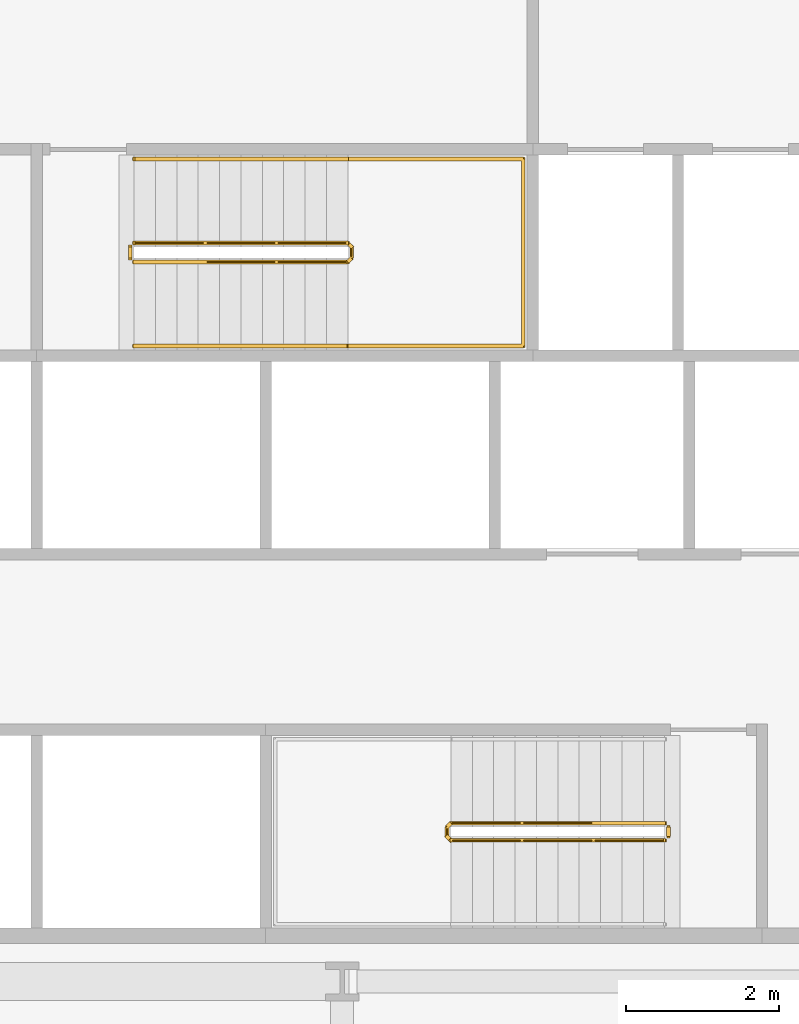
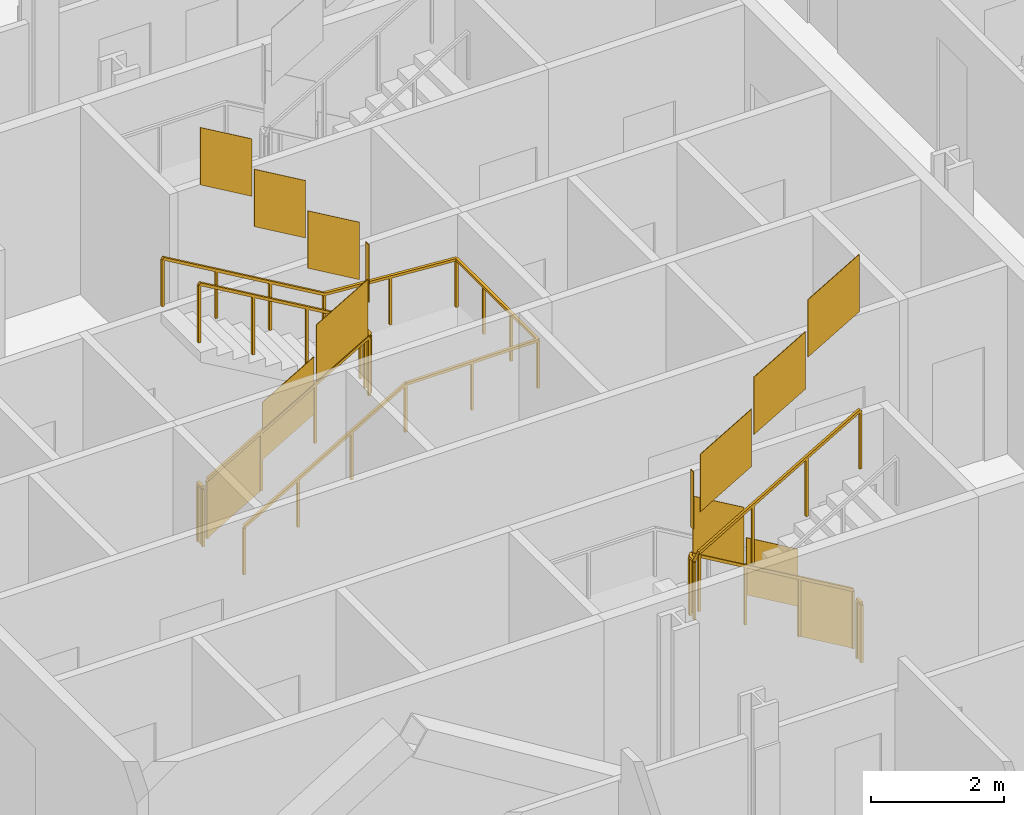
# One storey, part 15 of 18: 5 railings.
"""IFC4 building model written with IfcOpenShell, lengths in metres."""

from ifc_helpers import new_model, si_unit, direction, frame, origin, origin_2d, place, context, subcontext, project, spatial, polyline, rectangle, outline, extrude, material, type_object, element, save


model = new_model("IFC4")

# Units and contexts
model_context = context("Model", 3, precision=1e-05, world=origin(), true_north=direction((0.0, 1.0)))
body_context = subcontext(model_context, "Body", "Model", "MODEL_VIEW")
ifc_project = project(units=[si_unit("LENGTHUNIT", "METRE"), si_unit("AREAUNIT", "SQUARE_METRE"), si_unit("VOLUMEUNIT", "CUBIC_METRE"), si_unit("PLANEANGLEUNIT", "RADIAN"), si_unit("MASSUNIT", "GRAM", prefix="KILO")], contexts=[model_context])

# Site, building, storey
site_placement = place(None, origin())
site = spatial("IfcSite", under=ifc_project, at=site_placement, CompositionType="ELEMENT")
building_placement = place(site_placement, origin())
building = spatial("IfcBuilding", under=site, at=building_placement, Name="Cairn Pilgrim Tower", CompositionType="ELEMENT")
storey_placement = place(building_placement, frame((0.0, 0.0, 65.39990234375)))
storey = spatial("IfcBuildingStorey", under=building, at=storey_placement, Name="L14", CompositionType="ELEMENT", Elevation=65.39990234375)

# Railings
ifc_material = material(Name="Painted steel", Category="steel")
railing_type_1 = type_object("IfcRailingType", Name="STAIR GUARD 1100", PredefinedType="GUARDRAIL", material=ifc_material)
railing_1_placement = place(storey_placement, frame((11.425048828125, -3.925048828125, 0.163818359375)))
element("IfcRailing", 1, at=railing_1_placement, inside=storey, type_object=railing_type_1, Name="L14 ST-A stair guard 1", PredefinedType="GUARDRAIL", context=body_context, shape_type="SweptSolid", body=[
    extrude(rectangle(XDim=0.048095703125, YDim=0.048095703125, at=origin_2d()), frame((0.0, 0.0, 1.076171875), z_axis=(-0.863393664356, 0.0, 0.504530851732), x_axis=(0.0, -1.0, 0.0)), (0.0, 0.0, 1.0), 3.2431640625),
    extrude(rectangle(XDim=0.048095703125, YDim=0.048095703125, at=origin_2d()), frame((-2.800048828125, 0.0, 2.71240234375), z_axis=(-0.707106781187, -0.707106781187, 0.0), x_axis=(0.707106781187, -0.707106781187, 0.0)), (0.0, 0.0, 1.0), 0.07080078125),
    extrude(rectangle(XDim=0.048095703125, YDim=0.048095703125, at=origin_2d()), frame((-2.85009765625, -0.050048828125, 2.71240234375), z_axis=(0.0, -1.0, 0.0), x_axis=(1.0, 0.0, 0.0)), (0.0, 0.0, 1.0), 0.125),
    extrude(rectangle(XDim=0.048095703125, YDim=0.048095703125, at=origin_2d()), frame((-2.85009765625, -0.175048828125, 2.71240234375), z_axis=(0.280916556609, -0.279546231943, 0.91811752648), x_axis=(0.705375805398, 0.708833529934, 0.0)), (0.0, 0.0, 1.0), 0.17822265625),
    extrude(rectangle(XDim=0.048095703125, YDim=0.048095703125, at=origin_2d()), frame((-2.800048828125, -0.224853515625, 2.8759765625), z_axis=(0.863360870873, 0.0, 0.504586966384), x_axis=(0.0, 1.0, 0.0)), (0.0, 0.0, 1.0), 3.2431640625),
    extrude(rectangle(XDim=0.0419921875, YDim=0.0419921875, at=origin_2d()), origin(), (0.0, 0.0, 1.0), 1.052001953125),
    extrude(rectangle(XDim=0.0419921875, YDim=0.0419921875, at=origin_2d()), frame((-0.933349609375, 0.0, 0.54541015625)), (0.0, 0.0, 1.0), 1.052001953125),
    extrude(rectangle(XDim=0.0419921875, YDim=0.0419921875, at=origin_2d()), frame((-1.86669921875, 0.0, 1.0908203125)), (0.0, 0.0, 1.0), 1.052001953125),
    extrude(rectangle(XDim=0.0419921875, YDim=0.0419921875, at=origin_2d()), frame((-2.800048828125, 0.0, 1.63623046875)), (0.0, 0.0, 1.0), 1.052001953125),
    extrude(rectangle(XDim=0.0419921875, YDim=0.0419921875, at=origin_2d()), frame((-2.85009765625, -0.050048828125, 1.63623046875)), (0.0, 0.0, 1.0), 1.052001953125),
    extrude(rectangle(XDim=0.0419921875, YDim=0.0419921875, at=origin_2d()), frame((-2.85009765625, -0.175048828125, 1.63623046875)), (0.0, 0.0, 1.0), 1.052001953125),
    extrude(rectangle(XDim=0.0419921875, YDim=0.0419921875, at=origin_2d()), frame((-2.800048828125, -0.224853515625, 1.7998046875)), (0.0, 0.0, 1.0), 1.052001953125),
    extrude(rectangle(XDim=0.0419921875, YDim=0.0419921875, at=origin_2d()), frame((-1.86669921875, -0.224853515625, 2.34521484375)), (0.0, 0.0, 1.0), 1.052001953125),
    extrude(rectangle(XDim=0.0419921875, YDim=0.0419921875, at=origin_2d()), frame((-0.933349609375, -0.224853515625, 2.890869140625)), (0.0, 0.0, 1.0), 1.052001953125),
    extrude(rectangle(XDim=0.0419921875, YDim=0.0419921875, at=origin_2d()), frame((0.0, -0.224853515625, 3.436279296875)), (0.0, 0.0, 1.0), 1.052001953125),
    extrude(outline(polyline([(0.02099609375, 0.01220703125), (0.912353515625, 0.533203125), (0.912353515625, 1.585205078125), (0.02099609375, 1.064208984375), (0.02099609375, 0.01220703125)])), frame((0.0, -0.005859375, 0.0), z_axis=(0.0, 1.0, 0.0), x_axis=(-1.0, 0.0, 0.0)), (0.0, 0.0, 1.0), 0.011962890625),
    extrude(outline(polyline([(0.02099609375, 0.5576171875), (0.912353515625, 1.07861328125), (0.912353515625, 2.130615234375), (0.02099609375, 1.609619140625), (0.02099609375, 0.5576171875)])), frame((-0.933349609375, -0.005859375, 0.54541015625), z_axis=(0.0, 1.0, 0.0), x_axis=(-1.0, 0.0, 0.0)), (0.0, 0.0, 1.0), 0.011962890625),
    extrude(outline(polyline([(0.02099609375, 1.10302734375), (0.912353515625, 1.6240234375), (0.912353515625, 2.676025390625), (0.02099609375, 2.155029296875), (0.02099609375, 1.10302734375)])), frame((-1.86669921875, -0.005859375, 1.0908203125), z_axis=(0.0, 1.0, 0.0), x_axis=(-1.0, 0.0, 0.0)), (0.0, 0.0, 1.0), 0.011962890625),
    extrude(outline(polyline([(0.02099609375, 1.63623046875), (0.10400390625, 1.63623046875), (0.10400390625, 2.688232421875), (0.02099609375, 2.688232421875), (0.02099609375, 1.63623046875)])), frame((-2.84423828125, -0.050048828125, 1.63623046875), z_axis=(-1.0, 0.0, 0.0), x_axis=(0.0, -1.0, 0.0)), (0.0, 0.0, 1.0), 0.011962890625),
    extrude(outline(polyline([(0.02099609375, 1.81201171875), (0.912353515625, 2.3330078125), (0.912353515625, 3.385009765625), (0.02099609375, 2.864013671875), (0.02099609375, 1.81201171875)])), frame((-2.800048828125, -0.21875, 1.7998046875), z_axis=(0.0, -1.0, 0.0), x_axis=(1.0, 0.0, 0.0)), (0.0, 0.0, 1.0), 0.011962890625),
    extrude(outline(polyline([(0.02099609375, 2.357666015625), (0.912353515625, 2.87841796875), (0.912353515625, 3.930419921875), (0.02099609375, 3.40966796875), (0.02099609375, 2.357666015625)])), frame((-1.86669921875, -0.21875, 2.34521484375), z_axis=(0.0, -1.0, 0.0), x_axis=(1.0, 0.0, 0.0)), (0.0, 0.0, 1.0), 0.011962890625),
    extrude(outline(polyline([(0.02099609375, 2.903076171875), (0.912353515625, 3.424072265625), (0.912353515625, 4.47607421875), (0.02099609375, 3.955078125), (0.02099609375, 2.903076171875)])), frame((-0.933349609375, -0.21875, 2.890869140625), z_axis=(0.0, -1.0, 0.0), x_axis=(1.0, 0.0, 0.0)), (0.0, 0.0, 1.0), 0.011962890625),
])
railing_2_placement = place(storey_placement, frame((11.47509765625, -3.97509765625, 0.0)))
element("IfcRailing", 2, at=railing_2_placement, inside=storey, type_object=railing_type_1, Name="L14 ST-A stair guard 2", PredefinedType="GUARDRAIL", context=body_context, shape_type="SweptSolid", body=[
    extrude(rectangle(XDim=0.048095703125, YDim=0.048095703125, at=origin_2d()), frame((0.0, 0.0, 1.076171875), z_axis=(0.0, -1.0, 0.0), x_axis=(1.0, 0.0, 0.0)), (0.0, 0.0, 1.0), 0.125),
    extrude(rectangle(XDim=0.0419921875, YDim=0.0419921875, at=origin_2d()), origin(), (0.0, 0.0, 1.0), 1.052001953125),
    extrude(rectangle(XDim=0.0419921875, YDim=0.0419921875, at=origin_2d()), frame((0.0, -0.125, 0.0)), (0.0, 0.0, 1.0), 1.052001953125),
    extrude(outline(polyline([(0.02099609375, 0.0), (0.10400390625, 0.0), (0.10400390625, 1.052001953125), (0.02099609375, 1.052001953125), (0.02099609375, 0.0)])), frame((0.005859375, 0.0, 0.0), z_axis=(-1.0, 0.0, 0.0), x_axis=(0.0, -1.0, 0.0)), (0.0, 0.0, 1.0), 0.011962890625),
])
railing_3_placement = place(storey_placement, frame((4.47509765625, 3.425048828125, 0.163818359375)))
element("IfcRailing", 3, at=railing_3_placement, inside=storey, type_object=railing_type_1, Name="L14 ST-B stair guard 1", PredefinedType="GUARDRAIL", context=body_context, shape_type="SweptSolid", body=[
    extrude(rectangle(XDim=0.048095703125, YDim=0.048095703125, at=origin_2d()), frame((0.0, 0.0, 1.076171875), z_axis=(0.863374499697, 0.0, 0.504563646405), x_axis=(0.0, 1.0, 0.0)), (0.0, 0.0, 1.0), 3.242919921875),
    extrude(rectangle(XDim=0.048095703125, YDim=0.048095703125, at=origin_2d()), frame((2.7998046875, 0.0, 2.71240234375), z_axis=(0.707106781187, 0.707106781187, 0.0), x_axis=(-0.707106781187, 0.707106781187, 0.0)), (0.0, 0.0, 1.0), 0.07080078125),
    extrude(rectangle(XDim=0.048095703125, YDim=0.048095703125, at=origin_2d()), frame((2.849853515625, 0.050048828125, 2.71240234375), z_axis=(0.0, 1.0, 0.0), x_axis=(-1.0, 0.0, 0.0)), (0.0, 0.0, 1.0), 0.14990234375),
    extrude(rectangle(XDim=0.048095703125, YDim=0.048095703125, at=origin_2d()), frame((2.849853515625, 0.199951171875, 2.71240234375), z_axis=(-0.280808744504, 0.280808744504, 0.917765164963), x_axis=(-0.707106781187, -0.707106781187, 0.0)), (0.0, 0.0, 1.0), 0.17822265625),
    extrude(rectangle(XDim=0.048095703125, YDim=0.048095703125, at=origin_2d()), frame((2.7998046875, 0.25, 2.8759765625), z_axis=(-0.863341702679, 0.0, 0.504619762213), x_axis=(0.0, -1.0, 0.0)), (0.0, 0.0, 1.0), 3.242919921875),
    extrude(rectangle(XDim=0.0419921875, YDim=0.0419921875, at=origin_2d()), origin(), (0.0, 0.0, 1.0), 1.052001953125),
    extrude(rectangle(XDim=0.0419921875, YDim=0.0419921875, at=origin_2d()), frame((0.933349609375, 0.0, 0.54541015625)), (0.0, 0.0, 1.0), 1.052001953125),
    extrude(rectangle(XDim=0.0419921875, YDim=0.0419921875, at=origin_2d()), frame((1.866455078125, 0.0, 1.0908203125)), (0.0, 0.0, 1.0), 1.052001953125),
    extrude(rectangle(XDim=0.0419921875, YDim=0.0419921875, at=origin_2d()), frame((2.7998046875, 0.0, 1.63623046875)), (0.0, 0.0, 1.0), 1.052001953125),
    extrude(rectangle(XDim=0.0419921875, YDim=0.0419921875, at=origin_2d()), frame((2.849853515625, 0.050048828125, 1.63623046875)), (0.0, 0.0, 1.0), 1.052001953125),
    extrude(rectangle(XDim=0.0419921875, YDim=0.0419921875, at=origin_2d()), frame((2.849853515625, 0.199951171875, 1.63623046875)), (0.0, 0.0, 1.0), 1.052001953125),
    extrude(rectangle(XDim=0.0419921875, YDim=0.0419921875, at=origin_2d()), frame((2.7998046875, 0.25, 1.7998046875)), (0.0, 0.0, 1.0), 1.052001953125),
    extrude(rectangle(XDim=0.0419921875, YDim=0.0419921875, at=origin_2d()), frame((1.866455078125, 0.25, 2.34521484375)), (0.0, 0.0, 1.0), 1.052001953125),
    extrude(rectangle(XDim=0.0419921875, YDim=0.0419921875, at=origin_2d()), frame((0.933349609375, 0.25, 2.890869140625)), (0.0, 0.0, 1.0), 1.052001953125),
    extrude(rectangle(XDim=0.0419921875, YDim=0.0419921875, at=origin_2d()), frame((0.0, 0.25, 3.436279296875)), (0.0, 0.0, 1.0), 1.052001953125),
    extrude(outline(polyline([(0.02099609375, 0.01220703125), (0.912353515625, 0.533203125), (0.912353515625, 1.585205078125), (0.02099609375, 1.064208984375), (0.02099609375, 0.01220703125)])), frame((0.0, 0.005859375, 0.0), z_axis=(0.0, -1.0, 0.0), x_axis=(1.0, 0.0, 0.0)), (0.0, 0.0, 1.0), 0.011962890625),
    extrude(outline(polyline([(0.02099609375, 0.5576171875), (0.912353515625, 1.07861328125), (0.912353515625, 2.130615234375), (0.02099609375, 1.609619140625), (0.02099609375, 0.5576171875)])), frame((0.933349609375, 0.005859375, 0.54541015625), z_axis=(0.0, -1.0, 0.0), x_axis=(1.0, 0.0, 0.0)), (0.0, 0.0, 1.0), 0.011962890625),
    extrude(outline(polyline([(0.02099609375, 1.10302734375), (0.912353515625, 1.6240234375), (0.912353515625, 2.676025390625), (0.02099609375, 2.155029296875), (0.02099609375, 1.10302734375)])), frame((1.866455078125, 0.005859375, 1.0908203125), z_axis=(0.0, -1.0, 0.0), x_axis=(1.0, 0.0, 0.0)), (0.0, 0.0, 1.0), 0.011962890625),
    extrude(outline(polyline([(0.02099609375, 1.63623046875), (0.12890625, 1.63623046875), (0.12890625, 2.688232421875), (0.02099609375, 2.688232421875), (0.02099609375, 1.63623046875)])), frame((2.84375, 0.050048828125, 1.63623046875), z_axis=(1.0, 0.0, 0.0), x_axis=(0.0, 1.0, 0.0)), (0.0, 0.0, 1.0), 0.011962890625),
    extrude(outline(polyline([(0.02099609375, 1.81201171875), (0.912353515625, 2.3330078125), (0.912353515625, 3.385009765625), (0.02099609375, 2.864013671875), (0.02099609375, 1.81201171875)])), frame((2.7998046875, 0.244140625, 1.7998046875), z_axis=(0.0, 1.0, 0.0), x_axis=(-1.0, 0.0, 0.0)), (0.0, 0.0, 1.0), 0.011962890625),
    extrude(outline(polyline([(0.02099609375, 2.357666015625), (0.912353515625, 2.87841796875), (0.912353515625, 3.930419921875), (0.02099609375, 3.40966796875), (0.02099609375, 2.357666015625)])), frame((1.866455078125, 0.244140625, 2.34521484375), z_axis=(0.0, 1.0, 0.0), x_axis=(-1.0, 0.0, 0.0)), (0.0, 0.0, 1.0), 0.011962890625),
    extrude(outline(polyline([(0.02099609375, 2.903076171875), (0.912353515625, 3.424072265625), (0.912353515625, 4.47607421875), (0.02099609375, 3.955078125), (0.02099609375, 2.903076171875)])), frame((0.933349609375, 0.244140625, 2.890869140625), z_axis=(0.0, 1.0, 0.0), x_axis=(-1.0, 0.0, 0.0)), (0.0, 0.0, 1.0), 0.011962890625),
])
railing_4_placement = place(storey_placement, frame((4.425048828125, 3.47509765625, 0.0)))
element("IfcRailing", 4, at=railing_4_placement, inside=storey, type_object=railing_type_1, Name="L14 ST-B stair guard 2", PredefinedType="GUARDRAIL", context=body_context, shape_type="SweptSolid", body=[
    extrude(rectangle(XDim=0.048095703125, YDim=0.048095703125, at=origin_2d()), frame((0.0, 0.0, 1.076171875), z_axis=(0.0, 1.0, 0.0), x_axis=(-1.0, 0.0, 0.0)), (0.0, 0.0, 1.0), 0.14990234375),
    extrude(rectangle(XDim=0.0419921875, YDim=0.0419921875, at=origin_2d()), origin(), (0.0, 0.0, 1.0), 1.052001953125),
    extrude(rectangle(XDim=0.0419921875, YDim=0.0419921875, at=origin_2d()), frame((0.0, 0.14990234375, 0.0)), (0.0, 0.0, 1.0), 1.052001953125),
    extrude(outline(polyline([(0.02099609375, 0.0), (0.12890625, 0.0), (0.12890625, 1.052001953125), (0.02099609375, 1.052001953125), (0.02099609375, 0.0)])), frame((-0.005859375, 0.0, 0.0), z_axis=(1.0, 0.0, 0.0), x_axis=(0.0, 1.0, 0.0)), (0.0, 0.0, 1.0), 0.011962890625),
])
railing_type_2 = type_object("IfcRailingType", Name="STAIR HANDRAIL 900", PredefinedType="HANDRAIL", material=ifc_material)
railing_5_placement = place(storey_placement, frame((4.47509765625, 2.324951171875, 0.163818359375)))
element("IfcRailing", 5, at=railing_5_placement, inside=storey, type_object=railing_type_2, Name="L14 ST-B stair handrail 1", PredefinedType="HANDRAIL", context=body_context, shape_type="SweptSolid", body=[
    extrude(rectangle(XDim=0.048095703125, YDim=0.048095703125, at=origin_2d()), frame((0.0, 0.0, 0.8759765625), z_axis=(0.863374499697, 0.0, 0.504563646405), x_axis=(0.0, 1.0, 0.0)), (0.0, 0.0, 1.0), 3.242919921875),
    extrude(rectangle(XDim=0.048095703125, YDim=0.048095703125, at=origin_2d()), frame((2.7998046875, 0.0, 2.51220703125), z_axis=(1.0, 0.0, 0.0), x_axis=(0.0, 1.0, 0.0)), (0.0, 0.0, 1.0), 2.300048828125),
    extrude(rectangle(XDim=0.048095703125, YDim=0.048095703125, at=origin_2d()), frame((5.099853515625, 0.0, 2.51220703125), z_axis=(0.0, 1.0, 0.0), x_axis=(-1.0, 0.0, 0.0)), (0.0, 0.0, 1.0), 2.449951171875),
    extrude(rectangle(XDim=0.048095703125, YDim=0.048095703125, at=origin_2d()), frame((5.099853515625, 2.449951171875, 2.51220703125), z_axis=(-0.997480687736, 0.0, 0.070938548008), x_axis=(0.0, -1.0, 0.0)), (0.0, 0.0, 1.0), 2.305908203125),
    extrude(rectangle(XDim=0.048095703125, YDim=0.048095703125, at=origin_2d()), frame((2.7998046875, 2.449951171875, 2.67578125), z_axis=(-0.863341702679, 0.0, 0.504619762213), x_axis=(0.0, -1.0, 0.0)), (0.0, 0.0, 1.0), 3.242919921875),
    extrude(rectangle(XDim=0.0419921875, YDim=0.0419921875, at=origin_2d()), origin(), (0.0, 0.0, 1.0), 0.851806640625),
    extrude(rectangle(XDim=0.0419921875, YDim=0.0419921875, at=origin_2d()), frame((0.933349609375, 0.0, 0.54541015625)), (0.0, 0.0, 1.0), 0.851806640625),
    extrude(rectangle(XDim=0.0419921875, YDim=0.0419921875, at=origin_2d()), frame((1.866455078125, 0.0, 1.0908203125)), (0.0, 0.0, 1.0), 0.851806640625),
    extrude(rectangle(XDim=0.0419921875, YDim=0.0419921875, at=origin_2d()), frame((2.7998046875, 0.0, 1.63623046875)), (0.0, 0.0, 1.0), 0.851806640625),
    extrude(rectangle(XDim=0.0419921875, YDim=0.0419921875, at=origin_2d()), frame((3.94970703125, 0.0, 1.63623046875)), (0.0, 0.0, 1.0), 0.851806640625),
    extrude(rectangle(XDim=0.0419921875, YDim=0.0419921875, at=origin_2d()), frame((5.099853515625, 0.0, 1.63623046875)), (0.0, 0.0, 1.0), 0.851806640625),
    extrude(rectangle(XDim=0.0419921875, YDim=0.0419921875, at=origin_2d()), frame((5.099853515625, 0.816650390625, 1.63623046875)), (0.0, 0.0, 1.0), 0.851806640625),
    extrude(rectangle(XDim=0.0419921875, YDim=0.0419921875, at=origin_2d()), frame((5.099853515625, 1.63330078125, 1.63623046875)), (0.0, 0.0, 1.0), 0.851806640625),
    extrude(rectangle(XDim=0.0419921875, YDim=0.0419921875, at=origin_2d()), frame((5.099853515625, 2.449951171875, 1.63623046875)), (0.0, 0.0, 1.0), 0.851806640625),
    extrude(rectangle(XDim=0.0419921875, YDim=0.0419921875, at=origin_2d()), frame((3.94970703125, 2.449951171875, 1.718017578125)), (0.0, 0.0, 1.0), 0.851806640625),
    extrude(rectangle(XDim=0.0419921875, YDim=0.0419921875, at=origin_2d()), frame((2.7998046875, 2.449951171875, 1.7998046875)), (0.0, 0.0, 1.0), 0.851806640625),
    extrude(rectangle(XDim=0.0419921875, YDim=0.0419921875, at=origin_2d()), frame((1.866455078125, 2.449951171875, 2.34521484375)), (0.0, 0.0, 1.0), 0.851806640625),
    extrude(rectangle(XDim=0.0419921875, YDim=0.0419921875, at=origin_2d()), frame((0.933349609375, 2.449951171875, 2.890869140625)), (0.0, 0.0, 1.0), 0.851806640625),
    extrude(rectangle(XDim=0.0419921875, YDim=0.0419921875, at=origin_2d()), frame((0.0, 2.449951171875, 3.436279296875)), (0.0, 0.0, 1.0), 0.851806640625),
])

save(model, "model.ifc")
